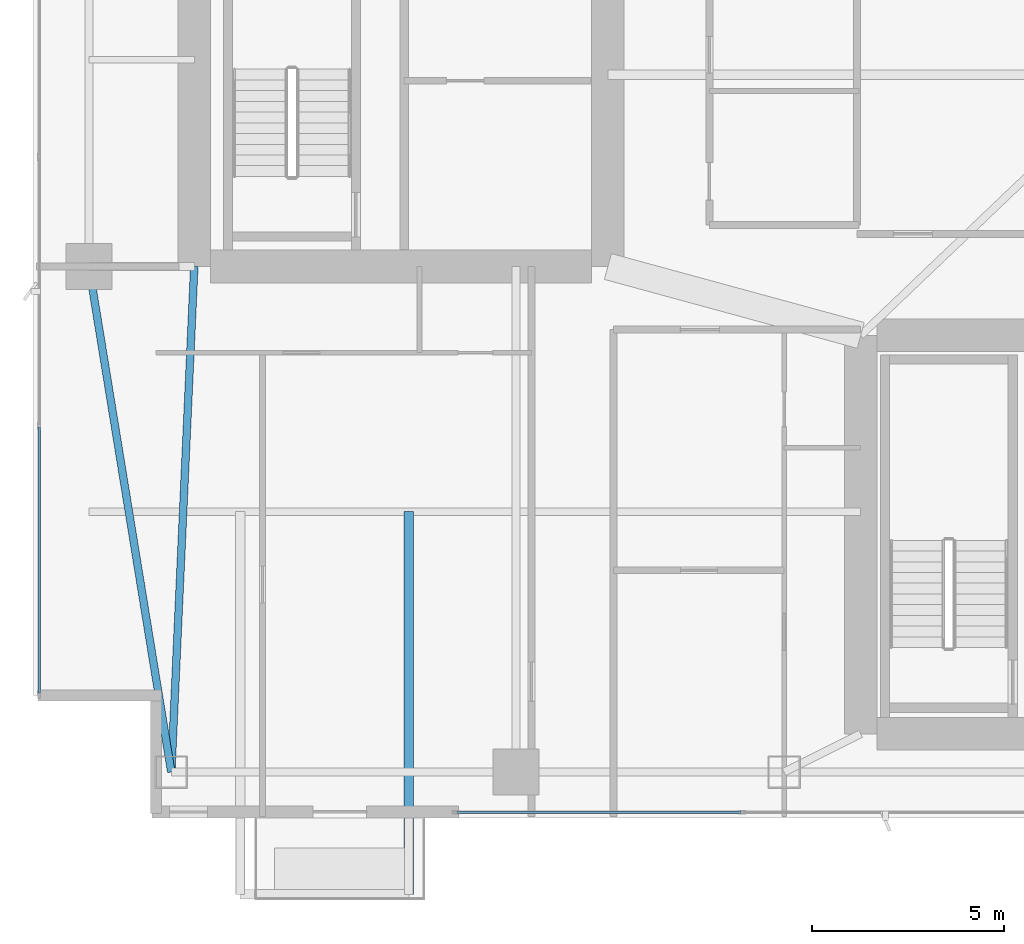
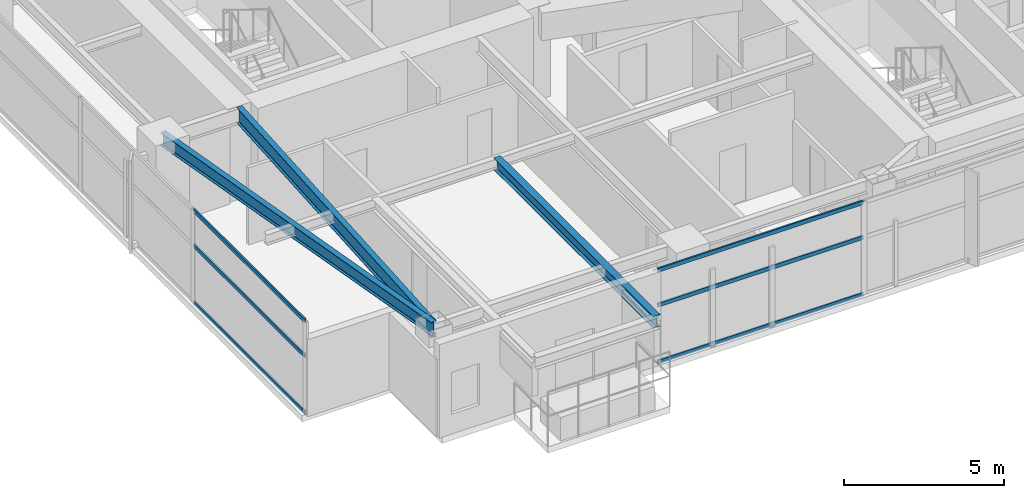
# One storey, part 3 of 28: 6 members, 3 beams, 2 elements without a shape of their own.
"""IFC4 building model written with IfcOpenShell, lengths in metres."""

from ifc_helpers import new_model, si_unit, direction, frame, origin, origin_2d, place, context, subcontext, project, spatial, hollow_rectangle, i_section, extrude, material, layer, layer_set, material_profile, profile_set, type_object, element, aggregate, save


model = new_model("IFC4")

# Units and contexts
model_context = context("Model", 3, precision=1e-05, world=origin(), true_north=direction((0.0, 1.0)))
body_context = subcontext(model_context, "Body", "Model", "MODEL_VIEW")
ifc_project = project(units=[si_unit("LENGTHUNIT", "METRE"), si_unit("AREAUNIT", "SQUARE_METRE"), si_unit("VOLUMEUNIT", "CUBIC_METRE"), si_unit("PLANEANGLEUNIT", "RADIAN"), si_unit("MASSUNIT", "GRAM", prefix="KILO")], contexts=[model_context])

# Site, building, storey
site_placement = place(None, origin())
site = spatial("IfcSite", under=ifc_project, at=site_placement, CompositionType="ELEMENT")
building_placement = place(site_placement, origin())
building = spatial("IfcBuilding", under=site, at=building_placement, Name="Calvorn Quay Hotel", CompositionType="ELEMENT")
storey_placement = place(building_placement, frame((0.0, 0.0, 178.89990234375)))
storey = spatial("IfcBuildingStorey", under=building, at=storey_placement, Name="L44", CompositionType="ELEMENT", Elevation=178.89990234375)

# Beams
ifc_material_1 = material(Name="Steel Q355B", Category="steel")
ifc_material_profile_1 = material_profile(ifc_material_1, i_section(OverallWidth=0.25, OverallDepth=0.449951171875, WebThickness=0.011962890625, FlangeThickness=0.01611328125, FilletRadius=0.01611328125, at=origin_2d()), Name="HN450x250x12x16")
ifc_profile_set_1 = profile_set([ifc_material_profile_1], Name="Steel Q355B")
beam_type_1 = type_object("IfcBeamType", Name="BM-CANT-BALC", PredefinedType="BEAM", material=ifc_profile_set_1)
beam_1_placement = place(storey_placement, frame((9.800048828125, 10.39990234375, 3.315185546875), z_axis=(0.0, -1.0, 0.0), x_axis=(1.0, 0.0, 0.0)))
element("IfcBeam", 1, at=beam_1_placement, inside=storey, type_object=beam_type_1, Name="Cantilever Balcony Beam BCB-L45-2B", PredefinedType="BEAM", context=body_context, shape_type="SweptSolid", body=[
    extrude(i_section(OverallWidth=0.25, OverallDepth=0.449951171875, WebThickness=0.011962890625, FlangeThickness=0.01611328125, FilletRadius=0.01611328125, at=origin_2d()), origin(), (0.0, 0.0, 1.0), 9.989990234375),
])
ifc_material_2 = material(Name="Steel Q355B", Category="steel")
ifc_material_profile_2 = material_profile(ifc_material_2, i_section(OverallWidth=0.199951171875, OverallDepth=0.60009765625, WebThickness=0.010986328125, FlangeThickness=0.01708984375, FilletRadius=0.01806640625, at=origin_2d()), Name="HN600x200x11x17")
ifc_profile_set_2 = profile_set([ifc_material_profile_2], Name="Steel Q355B")
beam_type_2 = type_object("IfcBeamType", Name="BM-GIRD-TYP", PredefinedType="BEAM", material=ifc_profile_set_2)
beam_2_placement = place(storey_placement, frame((3.60009765625, 3.60009765625, 3.239990234375), z_axis=(0.045396765494, 0.998969035397, 0.0), x_axis=(-0.998969035397, 0.045396765494, 0.0)))
element("IfcBeam", 2, at=beam_2_placement, inside=storey, type_object=beam_type_2, Name="Beam BG-L44-W0", PredefinedType="BEAM", context=body_context, shape_type="SweptSolid", body=[
    extrude(i_section(OverallWidth=0.199951171875, OverallDepth=0.60009765625, WebThickness=0.010986328125, FlangeThickness=0.01708984375, FilletRadius=0.01806640625, at=origin_2d()), origin(), (0.0, 0.0, 1.0), 13.213623046875),
])
ifc_material_3 = material(Name="Steel Q355B", Category="steel")
ifc_material_profile_3 = material_profile(ifc_material_3, i_section(OverallWidth=0.199951171875, OverallDepth=0.5, WebThickness=0.010009765625, FlangeThickness=0.01611328125, FilletRadius=0.01611328125, at=origin_2d()), Name="HN500x200x10x16")
ifc_profile_set_3 = profile_set([ifc_material_profile_3], Name="Steel Q355B")
beam_type_3 = type_object("IfcBeamType", Name="BM-SPANDREL-Z1", PredefinedType="SPANDREL", material=ifc_profile_set_3)
beam_3_placement = place(storey_placement, frame((3.60009765625, 3.60009765625, 3.2900390625), z_axis=(-0.16077155054, 0.986991645627, 0.0), x_axis=(-0.986991645627, -0.16077155054, 0.0)))
element("IfcBeam", 3, at=beam_3_placement, inside=storey, type_object=beam_type_3, Name="Beam BSP-L44-W1", PredefinedType="SPANDREL", context=body_context, shape_type="SweptSolid", body=[
    extrude(i_section(OverallWidth=0.199951171875, OverallDepth=0.5, WebThickness=0.010009765625, FlangeThickness=0.01611328125, FilletRadius=0.01611328125, at=origin_2d()), origin(), (0.0, 0.0, 1.0), 13.3740234375),
])

# Curtain wall, members
ifc_material_4 = material(Name="Pale Anodised Aluminium and Low-E Glass", Category="aluminium")
ifc_layer = layer(ifc_material_4, 0.219970703125)
ifc_layer_set = layer_set([ifc_layer], Name="CW-SYS-Z2")
curtain_wall_type = type_object("IfcCurtainWallType", Name="CW-SYS-Z2", PredefinedType="NOTDEFINED", material=ifc_layer_set)
curtain_wall_1_placement = place(storey_placement, origin())
curtain_wall_1 = element("IfcCurtainWall", 4, at=curtain_wall_1_placement, inside=storey, type_object=curtain_wall_type, Name="Tower West Curtain Wall (L44)", PredefinedType="NOTDEFINED")
ifc_material_5 = material(Name="Pale Anodised Aluminium 6063-T6", Category="aluminium")
ifc_material_profile_4 = material_profile(ifc_material_5, hollow_rectangle(XDim=0.06005859375, YDim=0.14990234375, WallThickness=0.00341796875, at=origin_2d()), Name="ALU-T150x60x3.5")
ifc_profile_set_4 = profile_set([ifc_material_profile_4], Name="Pale Anodised Aluminium 6063-T6")
member_type = type_object("IfcMemberType", Name="CW-SYS-Z2-TRN", PredefinedType="USERDEFINED", material=ifc_profile_set_4)
member_1_placement = place(storey_placement, frame((0.14990234375, 5.659912109375, 0.030029296875), z_axis=(0.0, 1.0, 0.0), x_axis=(-1.0, 0.0, 0.0)))
member_1 = element("IfcMember", 5, at=member_1_placement, type_object=member_type, Name="CW-L44-W transom 1.1", ObjectType="TRANSOM", PredefinedType="USERDEFINED", context=body_context, shape_type="SweptSolid", body=[
    extrude(hollow_rectangle(XDim=0.06005859375, YDim=0.14990234375, WallThickness=0.00341796875, at=origin_2d()), origin(), (0.0, 0.0, 1.0), 6.943359375),
])
member_2_placement = place(storey_placement, frame((0.14990234375, 5.659912109375, 2.2001953125), z_axis=(0.0, 1.0, 0.0), x_axis=(-1.0, 0.0, 0.0)))
member_2 = element("IfcMember", 6, at=member_2_placement, type_object=member_type, Name="CW-L44-W transom 1.2", ObjectType="TRANSOM", PredefinedType="USERDEFINED", context=body_context, shape_type="SweptSolid", body=[
    extrude(hollow_rectangle(XDim=0.06005859375, YDim=0.14990234375, WallThickness=0.00341796875, at=origin_2d()), origin(), (0.0, 0.0, 1.0), 6.943359375),
])
member_3_placement = place(storey_placement, frame((0.14990234375, 5.659912109375, 3.530029296875), z_axis=(0.0, 1.0, 0.0), x_axis=(-1.0, 0.0, 0.0)))
member_3 = element("IfcMember", 7, at=member_3_placement, type_object=member_type, Name="CW-L44-W transom 1.3", ObjectType="TRANSOM", PredefinedType="USERDEFINED", context=body_context, shape_type="SweptSolid", body=[
    extrude(hollow_rectangle(XDim=0.06005859375, YDim=0.14990234375, WallThickness=0.00341796875, at=origin_2d()), origin(), (0.0, 0.0, 1.0), 6.943359375),
])
aggregate(curtain_wall_1, [member_1, member_2, member_3])

curtain_wall_2_placement = place(storey_placement, origin())
curtain_wall_2 = element("IfcCurtainWall", 8, at=curtain_wall_2_placement, inside=storey, type_object=curtain_wall_type, Name="Tower South Waterfront Curtain Wall (L44)", PredefinedType="NOTDEFINED")
member_4_placement = place(storey_placement, frame((11.06005859375, 2.550048828125, 0.030029296875), z_axis=(1.0, 0.0, 0.0), x_axis=(0.0, 1.0, 0.0)))
member_4 = element("IfcMember", 9, at=member_4_placement, type_object=member_type, Name="CW-L44-S transom 1.1", ObjectType="TRANSOM", PredefinedType="USERDEFINED", context=body_context, shape_type="SweptSolid", body=[
    extrude(hollow_rectangle(XDim=0.06005859375, YDim=0.14990234375, WallThickness=0.00341796875, at=origin_2d()), origin(), (0.0, 0.0, 1.0), 7.409912109375),
])
member_5_placement = place(storey_placement, frame((11.06005859375, 2.550048828125, 2.2001953125), z_axis=(1.0, 0.0, 0.0), x_axis=(0.0, 1.0, 0.0)))
member_5 = element("IfcMember", 10, at=member_5_placement, type_object=member_type, Name="CW-L44-S transom 1.2", ObjectType="TRANSOM", PredefinedType="USERDEFINED", context=body_context, shape_type="SweptSolid", body=[
    extrude(hollow_rectangle(XDim=0.06005859375, YDim=0.14990234375, WallThickness=0.00341796875, at=origin_2d()), origin(), (0.0, 0.0, 1.0), 7.409912109375),
])
member_6_placement = place(storey_placement, frame((11.06005859375, 2.550048828125, 3.530029296875), z_axis=(1.0, 0.0, 0.0), x_axis=(0.0, 1.0, 0.0)))
member_6 = element("IfcMember", 11, at=member_6_placement, type_object=member_type, Name="CW-L44-S transom 1.3", ObjectType="TRANSOM", PredefinedType="USERDEFINED", context=body_context, shape_type="SweptSolid", body=[
    extrude(hollow_rectangle(XDim=0.06005859375, YDim=0.14990234375, WallThickness=0.00341796875, at=origin_2d()), origin(), (0.0, 0.0, 1.0), 7.409912109375),
])
aggregate(curtain_wall_2, [member_4, member_5, member_6])

save(model, "model.ifc")
